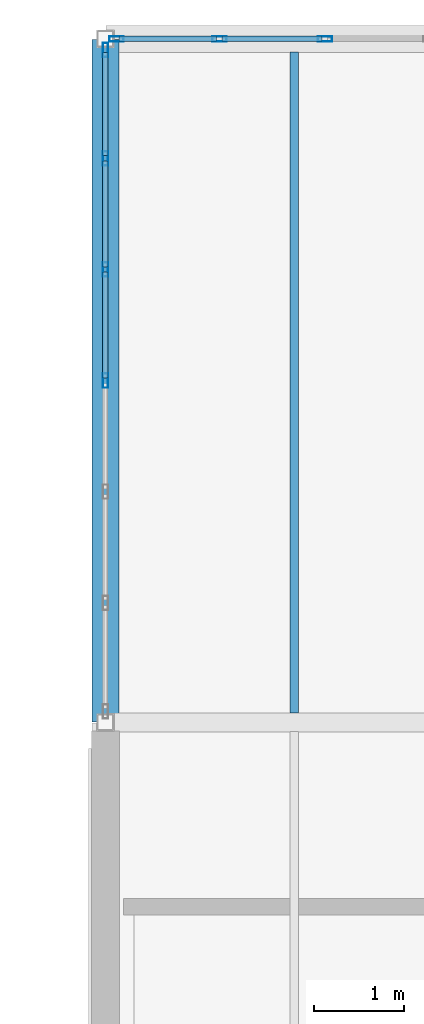
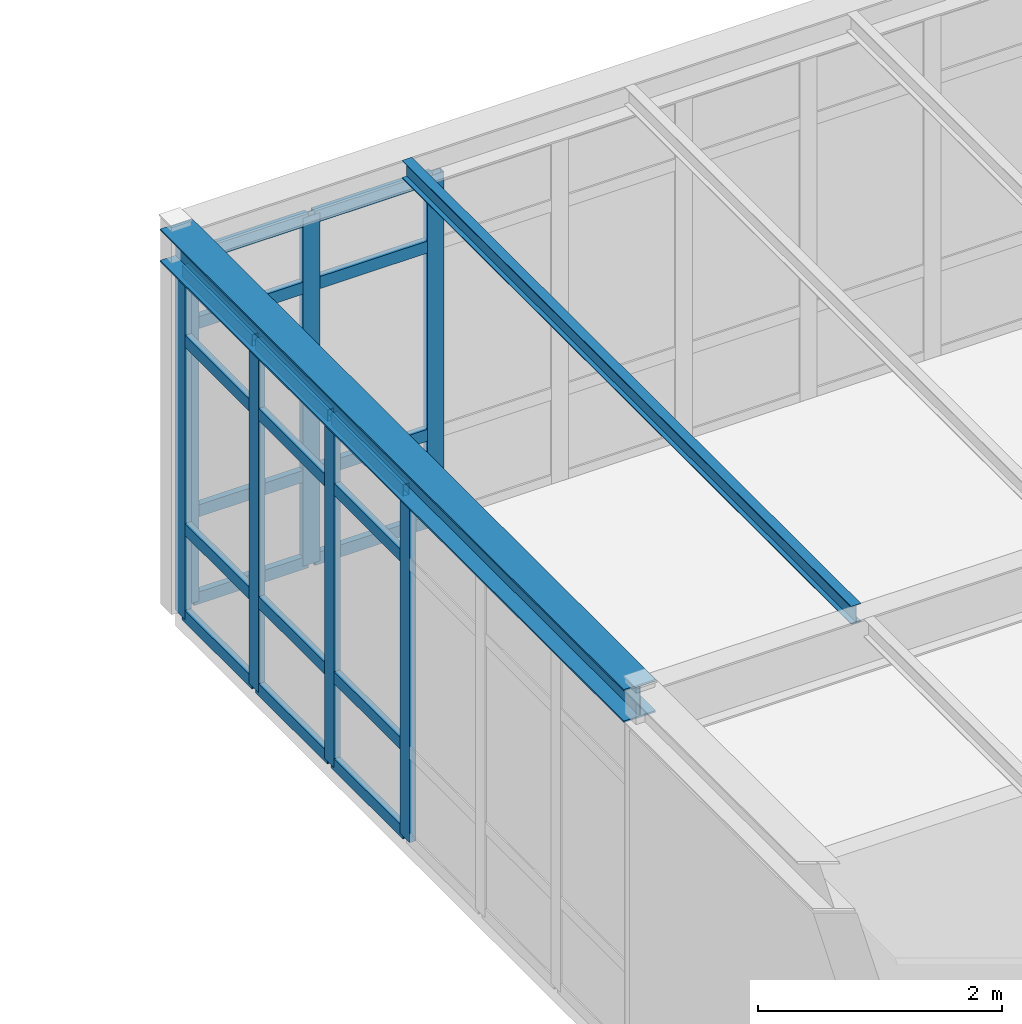
# One storey, part 16 of 65: 27 members, 2 beams, 2 elements without a shape of their own.
"""IFC4 building model written with IfcOpenShell, lengths in metres."""

import ifcopenshell
import ifcopenshell.guid

model = None  # the IFC model being written
_history = None  # IfcOwnerHistory: only IFC2X3 demands one
_inside = {}  # id of a spatial element -> (the spatial element, [elements in it])
_under = {}  # id of a project, library or spatial element -> (it, [spatial elements below it])
_declared = {}  # id of a project -> (the project, [libraries it declares])
_typed = {}  # id of a type object -> (the type object, [elements of that type])
_made_of = {}  # id of a material, layer set ... -> (it, [elements and type objects made of it])


def new_model(schema):
    """Start an empty IFC model of exactly this schema.

    Asked for "IFC4X3", IfcOpenShell would pick the latest addendum, in which some entities
    have other attributes; the version numbers below select the first issue.
    IFC2X3 requires an IfcOwnerHistory on every rooted entity: one is made here for all.
    """
    global model, _history
    if schema == "IFC4X3":
        model = ifcopenshell.file(schema_version=(4, 3, 0, 0))
    else:
        model = ifcopenshell.file(schema=schema)
    _inside.clear()
    _under.clear()
    _declared.clear()
    _typed.clear()
    _made_of.clear()
    _history = None
    if model.schema == "IFC2X3":
        org = make("IfcOrganization", Name="unknown")
        user = make(
            "IfcPersonAndOrganization",
            ThePerson=make("IfcPerson", FamilyName="unknown"),
            TheOrganization=org,
        )
        app = make(
            "IfcApplication",
            ApplicationDeveloper=org,
            Version="unknown",
            ApplicationFullName="unknown",
            ApplicationIdentifier="unknown",
        )
        _history = make(
            "IfcOwnerHistory",
            OwningUser=user,
            OwningApplication=app,
            ChangeAction="ADDED",
            CreationDate=0,
        )
    return model


def make(cls, **values):
    """One entity of the class cls with the attributes given. An attribute that is None is left unset."""
    return model.create_entity(
        cls, **{name: value for name, value in values.items() if value is not None}
    )


def rooted(cls, **values):
    """An entity with a GlobalId (a new one), such as an element, a storey or a relation."""
    return make(cls, GlobalId=ifcopenshell.guid.new(), OwnerHistory=_history, **values)


def si_unit(unit_type, name, prefix=None):
    """IfcSIUnit, for example si_unit("LENGTHUNIT", "METRE", prefix="MILLI")."""
    return make("IfcSIUnit", UnitType=unit_type, Prefix=prefix, Name=name)


def assignment(units):
    """IfcUnitAssignment: the units of a project."""
    return None if units is None else make("IfcUnitAssignment", Units=units)


def point(xyz):
    """IfcCartesianPoint."""
    return None if xyz is None else make("IfcCartesianPoint", Coordinates=xyz)


def direction(xyz):
    """IfcDirection."""
    return None if xyz is None else make("IfcDirection", DirectionRatios=xyz)


def frame(location, z_axis=None, x_axis=None):
    """IfcAxis2Placement3D, a coordinate frame: its origin and axes. An axis left out is left unset."""
    return make(
        "IfcAxis2Placement3D",
        Location=point(location),
        Axis=direction(z_axis),
        RefDirection=direction(x_axis),
    )


def frame_2d(location, x_axis=None):
    """IfcAxis2Placement2D, a coordinate frame in the plane: its origin and x axis."""
    return make(
        "IfcAxis2Placement2D", Location=point(location), RefDirection=direction(x_axis)
    )


def origin():
    """The frame at (0, 0, 0) with its axes left unset."""
    return frame((0.0, 0.0, 0.0))


def origin_2d():
    """The frame at (0, 0) in the plane with its x axis left unset."""
    return frame_2d((0.0, 0.0))


def place(relative_to, where):
    """IfcLocalPlacement: puts the frame where relative to a parent placement (None: the world)."""
    return make(
        "IfcLocalPlacement", PlacementRelTo=relative_to, RelativePlacement=where
    )


def context(
    kind, dimensions, precision=None, world=None, true_north=None, identifier=None
):
    """IfcGeometricRepresentationContext, for example the 3D "Model" context."""
    return make(
        "IfcGeometricRepresentationContext",
        ContextIdentifier=identifier,
        ContextType=kind,
        CoordinateSpaceDimension=dimensions,
        Precision=precision,
        WorldCoordinateSystem=world,
        TrueNorth=true_north,
    )


def subcontext(parent, identifier, kind, view, scale=None):
    """IfcGeometricRepresentationSubContext, for example "Body" below "Model"."""
    return make(
        "IfcGeometricRepresentationSubContext",
        ContextIdentifier=identifier,
        ContextType=kind,
        ParentContext=parent,
        TargetScale=scale,
        TargetView=view,
    )


def project(units=None, contexts=None):
    """IfcProject with its units and contexts."""
    return rooted(
        "IfcProject",
        Name="project",
        RepresentationContexts=contexts,
        UnitsInContext=assignment(units),
    )


def spatial(cls, under=None, at=None, **own):
    """A site, building, storey or space (cls), placed at a placement, below another one or the project."""
    s = rooted(cls, ObjectPlacement=at, **own)
    if under is not None:
        _under.setdefault(under.id(), (under, []))[1].append(s)
    return s


def profile(cls, at=None, kind="AREA", **sizes):
    """A parametric profile (cls). Its sizes go by their IFC names, for example OverallWidth=200.0."""
    return make(cls, ProfileType=kind, Position=at, **sizes)


def hollow_rectangle(**sizes):
    """IfcRectangleHollowProfileDef."""
    return profile("IfcRectangleHollowProfileDef", **sizes)


def i_section(**sizes):
    """IfcIShapeProfileDef."""
    return profile("IfcIShapeProfileDef", **sizes)


def extrude(swept, where, along, depth):
    """IfcExtrudedAreaSolid: the profile swept, set in the frame where, extruded along a direction by depth."""
    return make(
        "IfcExtrudedAreaSolid",
        SweptArea=swept,
        Position=where,
        ExtrudedDirection=direction(along),
        Depth=depth,
    )


def shape(context_of_items, identifier, shape_type, items):
    """IfcShapeRepresentation: the items that make up one representation, for example the "Body"."""
    return make(
        "IfcShapeRepresentation",
        ContextOfItems=context_of_items,
        RepresentationIdentifier=identifier,
        RepresentationType=shape_type,
        Items=items,
    )


def material(Name=None, Category=None):
    """IfcMaterial."""
    return make("IfcMaterial", Name=Name, Category=Category)


def layer(
    of_material, thickness, ventilated=None, Name=None, Category=None, Priority=None
):
    """IfcMaterialLayer: one layer of a wall or slab, of a material (None: an air gap)."""
    return make(
        "IfcMaterialLayer",
        Material=of_material,
        LayerThickness=thickness,
        IsVentilated=ventilated,
        Name=Name,
        Category=Category,
        Priority=Priority,
    )


def layer_set(layers, Name=None):
    """IfcMaterialLayerSet."""
    return make("IfcMaterialLayerSet", MaterialLayers=layers, LayerSetName=Name)


def material_profile(
    of_material, cross_section, Name=None, Category=None, Priority=None
):
    """IfcMaterialProfile: a cross section and its material."""
    return make(
        "IfcMaterialProfile",
        Name=Name,
        Material=of_material,
        Profile=cross_section,
        Priority=Priority,
        Category=Category,
    )


def profile_set(profiles, Name=None, composite=None):
    """IfcMaterialProfileSet."""
    return make(
        "IfcMaterialProfileSet",
        Name=Name,
        MaterialProfiles=profiles,
        CompositeProfile=composite,
    )


def made_of(thing, what):
    """Note that an element or type object is made of a material, layer set ...; save() writes the relation."""
    if what is not None:
        _made_of.setdefault(what.id(), (what, []))[1].append(thing)
    return thing


def type_object(cls, material=None, **own):
    """A type object (cls), such as IfcWallType, which elements share."""
    return made_of(rooted(cls, **own), material)


def element(
    cls,
    number,
    at=None,
    inside=None,
    cuts=None,
    type_object=None,
    material=None,
    context=None,
    identifier="Body",
    shape_type=None,
    held_by="IfcProductDefinitionShape",
    body=None,
    shapes=None,
    **own,
):
    """One element of the class cls, such as IfcWall. Its Tag is "e" and its number.

    at: its placement. inside: the storey or other place that contains it. cuts: it is an
    opening in that element (IfcRelVoidsElement). A single representation is given by context,
    identifier, shape_type and body (its items); several are given by shapes. held_by: the class
    of the entity that holds the representations. save() writes the other relations.
    """
    e = rooted(cls, Tag="e%d" % number, ObjectPlacement=at, **own)
    if body is not None:
        shapes = [shape(context, identifier, shape_type, body)]
    if shapes is not None:
        e.Representation = make(held_by, Representations=shapes)
    if inside is not None:
        _inside.setdefault(inside.id(), (inside, []))[1].append(e)
    if cuts is not None:
        rooted(
            "IfcRelVoidsElement", RelatingBuildingElement=cuts, RelatedOpeningElement=e
        )
    if type_object is not None:
        _typed.setdefault(type_object.id(), (type_object, []))[1].append(e)
    return made_of(e, material)


def aggregate(whole, parts):
    """IfcRelAggregates: a whole, such as a stair, and the parts it consists of."""
    return rooted("IfcRelAggregates", RelatingObject=whole, RelatedObjects=parts)


def save(model, path):
    """Write the relations noted so far, then the file.

    IfcRelAggregates (storeys below a building ...), IfcRelContainedInSpatialStructure (elements
    in a storey), IfcRelDefinesByType, IfcRelAssociatesMaterial and IfcRelDeclares: one each for
    every whole, place, type object, material and project.
    """
    for whole, parts in _under.values():
        aggregate(whole, parts)
    for where, things in _inside.values():
        rooted(
            "IfcRelContainedInSpatialStructure",
            RelatedElements=things,
            RelatingStructure=where,
        )
    for kind, things in _typed.values():
        rooted("IfcRelDefinesByType", RelatedObjects=things, RelatingType=kind)
    for what, things in _made_of.values():
        rooted("IfcRelAssociatesMaterial", RelatedObjects=things, RelatingMaterial=what)
    for by, libraries in _declared.values():
        rooted("IfcRelDeclares", RelatingContext=by, RelatedDefinitions=libraries)
    model.write(path)


model = new_model("IFC4")

# Units and contexts
model_context = context("Model", 3, precision=1e-05, world=origin(), true_north=direction((0.0, 1.0)))
body_context = subcontext(model_context, "Body", "Model", "MODEL_VIEW")
ifc_project = project(units=[si_unit("LENGTHUNIT", "METRE"), si_unit("AREAUNIT", "SQUARE_METRE"), si_unit("VOLUMEUNIT", "CUBIC_METRE"), si_unit("PLANEANGLEUNIT", "RADIAN"), si_unit("MASSUNIT", "GRAM", prefix="KILO")], contexts=[model_context])

# Site, building, storey
site_placement = place(None, origin())
site = spatial("IfcSite", under=ifc_project, at=site_placement, CompositionType="ELEMENT")
building_placement = place(site_placement, origin())
building = spatial("IfcBuilding", under=site, at=building_placement, Name="Montecoro Central Library", CompositionType="ELEMENT")
storey_placement = place(building_placement, frame((0.0, 0.0, 17.340087890625)))
storey = spatial("IfcBuildingStorey", under=building, at=storey_placement, Name="L04", CompositionType="ELEMENT", Elevation=17.340087890625)

# Beams
ifc_material_1 = material(Name="Steel S355", Category="steel")
ifc_material_profile_1 = material_profile(ifc_material_1, i_section(OverallWidth=0.091064453125, OverallDepth=0.179931640625, WebThickness=0.00537109375, FlangeThickness=0.008056640625, at=origin_2d()), Name="IPE 180")
ifc_profile_set_1 = profile_set([ifc_material_profile_1], Name="Steel S355")
beam_type_1 = type_object("IfcBeamType", Name="BM-J-IPE180", PredefinedType="JOIST", material=ifc_profile_set_1)
beam_1_placement = place(storey_placement, frame((68.5, 111.501953125, 3.73486328125), z_axis=(0.0, 1.0, 0.0), x_axis=(-1.0, 0.0, 0.0)))
element("IfcBeam", 1, at=beam_1_placement, inside=storey, type_object=beam_type_1, Name="V2-L04-JS-910-QR-1", PredefinedType="JOIST", context=body_context, shape_type="SweptSolid", body=[
    extrude(i_section(OverallWidth=0.091064453125, OverallDepth=0.179931640625, WebThickness=0.00537109375, FlangeThickness=0.008056640625, at=origin_2d()), origin(), (0.0, 0.0, 1.0), 7.35107421875),
])
ifc_material_profile_2 = material_profile(ifc_material_1, i_section(OverallWidth=0.300048828125, OverallDepth=0.330078125, WebThickness=0.009521484375, FlangeThickness=0.0166015625, at=origin_2d()), Name="HEA 340")
ifc_profile_set_2 = profile_set([ifc_material_profile_2], Name="Steel S355")
beam_type_2 = type_object("IfcBeamType", Name="BM-SP-HEA340", PredefinedType="SPANDREL", material=ifc_profile_set_2)
beam_2_placement = place(storey_placement, frame((66.39990234375, 111.405029296875, 3.659912109375), z_axis=(0.0, 1.0, 0.0), x_axis=(-1.0, 0.0, 0.0)))
element("IfcBeam", 2, at=beam_2_placement, inside=storey, type_object=beam_type_2, Name="V2-L04-BY-9-QR", PredefinedType="SPANDREL", context=body_context, shape_type="SweptSolid", body=[
    extrude(i_section(OverallWidth=0.300048828125, OverallDepth=0.330078125, WebThickness=0.009521484375, FlangeThickness=0.0166015625, at=origin_2d()), origin(), (0.0, 0.0, 1.0), 7.590087890625),
])

# Curtain wall, members
ifc_material_2 = material(Name="Bronze-anodised aluminium and low-E glazing", Category="aluminium")
ifc_layer_1 = layer(ifc_material_2, 0.159912109375)
ifc_layer_set_1 = layer_set([ifc_layer_1], Name="Bronze-anodised aluminium and low-E glazing")
curtain_wall_type_1 = type_object("IfcCurtainWallType", Name="CWT-022", PredefinedType="NOTDEFINED", material=ifc_layer_set_1)
curtain_wall_1_placement = place(storey_placement, origin())
curtain_wall_1 = element("IfcCurtainWall", 3, at=curtain_wall_1_placement, inside=storey, type_object=curtain_wall_type_1, Name="V2-L04-CW-N0", PredefinedType="NOTDEFINED")
ifc_material_3 = material(Name="Bronze-anodised aluminium", Category="aluminium")
ifc_material_profile_3 = material_profile(ifc_material_3, hollow_rectangle(XDim=0.06005859375, YDim=0.159912109375, WallThickness=0.00390625, at=origin_2d()), Name="CWM 160x60x4.0")
ifc_profile_set_3 = profile_set([ifc_material_profile_3], Name="Bronze-anodised aluminium")
member_type_1 = type_object("IfcMemberType", Name="CWM-BRZ-60", PredefinedType="MULLION", material=ifc_profile_set_3)
member_1_placement = place(storey_placement, frame((68.83984375, 119.0, 0.0), z_axis=(0.0, 0.0, 1.0), x_axis=(0.0, -1.0, 0.0)))
member_1 = element("IfcMember", 4, at=member_1_placement, type_object=member_type_1, Name="CW-022 mullion 6", PredefinedType="MULLION", context=body_context, shape_type="SweptSolid", body=[
    extrude(hollow_rectangle(XDim=0.06005859375, YDim=0.159912109375, WallThickness=0.00390625, at=origin_2d()), origin(), (0.0, 0.0, 1.0), 3.47998046875),
])
member_2_placement = place(storey_placement, frame((67.66650390625, 119.0, 0.0), z_axis=(0.0, 0.0, 1.0), x_axis=(0.0, -1.0, 0.0)))
member_2 = element("IfcMember", 5, at=member_2_placement, type_object=member_type_1, Name="CW-022 mullion 7", PredefinedType="MULLION", context=body_context, shape_type="SweptSolid", body=[
    extrude(hollow_rectangle(XDim=0.06005859375, YDim=0.159912109375, WallThickness=0.00390625, at=origin_2d()), origin(), (0.0, 0.0, 1.0), 3.47998046875),
])
member_3_placement = place(storey_placement, frame((66.52294921875, 119.0, 0.0), z_axis=(0.0, 0.0, 1.0), x_axis=(0.0, -1.0, 0.0)))
member_3 = element("IfcMember", 6, at=member_3_placement, type_object=member_type_1, Name="CW-022 mullion 8", PredefinedType="MULLION", context=body_context, shape_type="SweptSolid", body=[
    extrude(hollow_rectangle(XDim=0.06005859375, YDim=0.159912109375, WallThickness=0.00390625, at=origin_2d()), origin(), (0.0, 0.0, 1.0), 3.47998046875),
])

ifc_layer_2 = layer(ifc_material_2, 0.159912109375)
ifc_layer_set_2 = layer_set([ifc_layer_2], Name="Bronze-anodised aluminium and low-E glazing")
curtain_wall_type_2 = type_object("IfcCurtainWallType", Name="CWT-023", PredefinedType="NOTDEFINED", material=ifc_layer_set_2)
curtain_wall_2_placement = place(storey_placement, origin())
curtain_wall_2 = element("IfcCurtainWall", 7, at=curtain_wall_2_placement, inside=storey, type_object=curtain_wall_type_2, Name="V2-L04-CW-W2", PredefinedType="NOTDEFINED")
member_4_placement = place(storey_placement, frame((66.39990234375, 118.876953125, 0.0), z_axis=(0.0, 0.0, 1.0), x_axis=(1.0, 0.0, 0.0)))
member_4 = element("IfcMember", 8, at=member_4_placement, type_object=member_type_1, Name="CW-023 mullion 1", PredefinedType="MULLION", context=body_context, shape_type="SweptSolid", body=[
    extrude(hollow_rectangle(XDim=0.06005859375, YDim=0.159912109375, WallThickness=0.00390625, at=origin_2d()), origin(), (0.0, 0.0, 1.0), 3.47998046875),
])
member_5_placement = place(storey_placement, frame((66.39990234375, 117.67138671875, 0.0), z_axis=(0.0, 0.0, 1.0), x_axis=(1.0, 0.0, 0.0)))
member_5 = element("IfcMember", 9, at=member_5_placement, type_object=member_type_1, Name="CW-023 mullion 2", PredefinedType="MULLION", context=body_context, shape_type="SweptSolid", body=[
    extrude(hollow_rectangle(XDim=0.06005859375, YDim=0.159912109375, WallThickness=0.00390625, at=origin_2d()), origin(), (0.0, 0.0, 1.0), 3.47998046875),
])
member_6_placement = place(storey_placement, frame((66.39990234375, 116.435546875, 0.0), z_axis=(0.0, 0.0, 1.0), x_axis=(1.0, 0.0, 0.0)))
member_6 = element("IfcMember", 10, at=member_6_placement, type_object=member_type_1, Name="CW-023 mullion 3", PredefinedType="MULLION", context=body_context, shape_type="SweptSolid", body=[
    extrude(hollow_rectangle(XDim=0.06005859375, YDim=0.159912109375, WallThickness=0.00390625, at=origin_2d()), origin(), (0.0, 0.0, 1.0), 3.47998046875),
])
member_7_placement = place(storey_placement, frame((66.39990234375, 115.199951171875, 0.0), z_axis=(0.0, 0.0, 1.0), x_axis=(1.0, 0.0, 0.0)))
member_7 = element("IfcMember", 11, at=member_7_placement, type_object=member_type_1, Name="CW-023 mullion 4", PredefinedType="MULLION", context=body_context, shape_type="SweptSolid", body=[
    extrude(hollow_rectangle(XDim=0.06005859375, YDim=0.159912109375, WallThickness=0.00390625, at=origin_2d()), origin(), (0.0, 0.0, 1.0), 3.47998046875),
])

# Member
ifc_material_profile_4 = material_profile(ifc_material_3, hollow_rectangle(XDim=0.06005859375, YDim=0.1201171875, WallThickness=0.00390625, at=origin_2d()), Name="CWT 120x60x4.0")
ifc_profile_set_4 = profile_set([ifc_material_profile_4], Name="Bronze-anodised aluminium")
member_type_2 = type_object("IfcMemberType", Name="CWT-BRZ-60", PredefinedType="USERDEFINED", material=ifc_profile_set_4)
member_8_placement = place(storey_placement, frame((68.809814453125, 119.0, 0.030029296875), z_axis=(-1.0, 0.0, 0.0), x_axis=(0.0, -1.0, 0.0)))
member_8 = element("IfcMember", 12, at=member_8_placement, type_object=member_type_2, Name="CW-022 transom 6.1", ObjectType="TRANSOM", PredefinedType="USERDEFINED", context=body_context, shape_type="SweptSolid", body=[
    extrude(hollow_rectangle(XDim=0.06005859375, YDim=0.1201171875, WallThickness=0.00390625, at=origin_2d()), origin(), (0.0, 0.0, 1.0), 1.11328125),
])

member_9_placement = place(storey_placement, frame((68.809814453125, 119.0, 0.89990234375), z_axis=(-1.0, 0.0, 0.0), x_axis=(0.0, -1.0, 0.0)))
member_9 = element("IfcMember", 13, at=member_9_placement, type_object=member_type_2, Name="CW-022 transom 6.2", ObjectType="TRANSOM", PredefinedType="USERDEFINED", context=body_context, shape_type="SweptSolid", body=[
    extrude(hollow_rectangle(XDim=0.06005859375, YDim=0.1201171875, WallThickness=0.00390625, at=origin_2d()), origin(), (0.0, 0.0, 1.0), 1.11328125),
])

member_10_placement = place(storey_placement, frame((68.809814453125, 119.0, 2.780029296875), z_axis=(-1.0, 0.0, 0.0), x_axis=(0.0, -1.0, 0.0)))
member_10 = element("IfcMember", 14, at=member_10_placement, type_object=member_type_2, Name="CW-022 transom 6.3", ObjectType="TRANSOM", PredefinedType="USERDEFINED", context=body_context, shape_type="SweptSolid", body=[
    extrude(hollow_rectangle(XDim=0.06005859375, YDim=0.1201171875, WallThickness=0.00390625, at=origin_2d()), origin(), (0.0, 0.0, 1.0), 1.11328125),
])

member_11_placement = place(storey_placement, frame((68.809814453125, 119.0, 3.449951171875), z_axis=(-1.0, 0.0, 0.0), x_axis=(0.0, -1.0, 0.0)))
member_11 = element("IfcMember", 15, at=member_11_placement, type_object=member_type_2, Name="CW-022 transom 6.4", ObjectType="TRANSOM", PredefinedType="USERDEFINED", context=body_context, shape_type="SweptSolid", body=[
    extrude(hollow_rectangle(XDim=0.06005859375, YDim=0.1201171875, WallThickness=0.00390625, at=origin_2d()), origin(), (0.0, 0.0, 1.0), 1.11328125),
])

member_12_placement = place(storey_placement, frame((67.636474609375, 119.0, 0.030029296875), z_axis=(-1.0, 0.0, 0.0), x_axis=(0.0, -1.0, 0.0)))
member_12 = element("IfcMember", 16, at=member_12_placement, type_object=member_type_2, Name="CW-022 transom 7.1", ObjectType="TRANSOM", PredefinedType="USERDEFINED", context=body_context, shape_type="SweptSolid", body=[
    extrude(hollow_rectangle(XDim=0.06005859375, YDim=0.1201171875, WallThickness=0.00390625, at=origin_2d()), origin(), (0.0, 0.0, 1.0), 1.08349609375),
])

member_13_placement = place(storey_placement, frame((67.636474609375, 119.0, 0.89990234375), z_axis=(-1.0, 0.0, 0.0), x_axis=(0.0, -1.0, 0.0)))
member_13 = element("IfcMember", 17, at=member_13_placement, type_object=member_type_2, Name="CW-022 transom 7.2", ObjectType="TRANSOM", PredefinedType="USERDEFINED", context=body_context, shape_type="SweptSolid", body=[
    extrude(hollow_rectangle(XDim=0.06005859375, YDim=0.1201171875, WallThickness=0.00390625, at=origin_2d()), origin(), (0.0, 0.0, 1.0), 1.08349609375),
])

member_14_placement = place(storey_placement, frame((67.636474609375, 119.0, 2.780029296875), z_axis=(-1.0, 0.0, 0.0), x_axis=(0.0, -1.0, 0.0)))
member_14 = element("IfcMember", 18, at=member_14_placement, type_object=member_type_2, Name="CW-022 transom 7.3", ObjectType="TRANSOM", PredefinedType="USERDEFINED", context=body_context, shape_type="SweptSolid", body=[
    extrude(hollow_rectangle(XDim=0.06005859375, YDim=0.1201171875, WallThickness=0.00390625, at=origin_2d()), origin(), (0.0, 0.0, 1.0), 1.08349609375),
])

member_15_placement = place(storey_placement, frame((67.636474609375, 119.0, 3.449951171875), z_axis=(-1.0, 0.0, 0.0), x_axis=(0.0, -1.0, 0.0)))
member_15 = element("IfcMember", 19, at=member_15_placement, type_object=member_type_2, Name="CW-022 transom 7.4", ObjectType="TRANSOM", PredefinedType="USERDEFINED", context=body_context, shape_type="SweptSolid", body=[
    extrude(hollow_rectangle(XDim=0.06005859375, YDim=0.1201171875, WallThickness=0.00390625, at=origin_2d()), origin(), (0.0, 0.0, 1.0), 1.08349609375),
])

aggregate(curtain_wall_1, [member_1, member_2, member_3, member_8, member_9, member_10, member_11, member_12, member_13, member_14, member_15])

member_16_placement = place(storey_placement, frame((66.39990234375, 118.846923828125, 0.030029296875), z_axis=(0.0, -1.0, 0.0), x_axis=(1.0, 0.0, 0.0)))
member_16 = element("IfcMember", 20, at=member_16_placement, type_object=member_type_2, Name="CW-023 transom 1.1", ObjectType="TRANSOM", PredefinedType="USERDEFINED", context=body_context, shape_type="SweptSolid", body=[
    extrude(hollow_rectangle(XDim=0.06005859375, YDim=0.1201171875, WallThickness=0.00390625, at=origin_2d()), origin(), (0.0, 0.0, 1.0), 1.1455078125),
])

member_17_placement = place(storey_placement, frame((66.39990234375, 118.846923828125, 0.89990234375), z_axis=(0.0, -1.0, 0.0), x_axis=(1.0, 0.0, 0.0)))
member_17 = element("IfcMember", 21, at=member_17_placement, type_object=member_type_2, Name="CW-023 transom 1.2", ObjectType="TRANSOM", PredefinedType="USERDEFINED", context=body_context, shape_type="SweptSolid", body=[
    extrude(hollow_rectangle(XDim=0.06005859375, YDim=0.1201171875, WallThickness=0.00390625, at=origin_2d()), origin(), (0.0, 0.0, 1.0), 1.1455078125),
])

member_18_placement = place(storey_placement, frame((66.39990234375, 118.846923828125, 2.780029296875), z_axis=(0.0, -1.0, 0.0), x_axis=(1.0, 0.0, 0.0)))
member_18 = element("IfcMember", 22, at=member_18_placement, type_object=member_type_2, Name="CW-023 transom 1.3", ObjectType="TRANSOM", PredefinedType="USERDEFINED", context=body_context, shape_type="SweptSolid", body=[
    extrude(hollow_rectangle(XDim=0.06005859375, YDim=0.1201171875, WallThickness=0.00390625, at=origin_2d()), origin(), (0.0, 0.0, 1.0), 1.1455078125),
])

member_19_placement = place(storey_placement, frame((66.39990234375, 118.846923828125, 3.449951171875), z_axis=(0.0, -1.0, 0.0), x_axis=(1.0, 0.0, 0.0)))
member_19 = element("IfcMember", 23, at=member_19_placement, type_object=member_type_2, Name="CW-023 transom 1.4", ObjectType="TRANSOM", PredefinedType="USERDEFINED", context=body_context, shape_type="SweptSolid", body=[
    extrude(hollow_rectangle(XDim=0.06005859375, YDim=0.1201171875, WallThickness=0.00390625, at=origin_2d()), origin(), (0.0, 0.0, 1.0), 1.1455078125),
])

member_20_placement = place(storey_placement, frame((66.39990234375, 117.641357421875, 0.030029296875), z_axis=(0.0, -1.0, 0.0), x_axis=(1.0, 0.0, 0.0)))
member_20 = element("IfcMember", 24, at=member_20_placement, type_object=member_type_2, Name="CW-023 transom 2.1", ObjectType="TRANSOM", PredefinedType="USERDEFINED", context=body_context, shape_type="SweptSolid", body=[
    extrude(hollow_rectangle(XDim=0.06005859375, YDim=0.1201171875, WallThickness=0.00390625, at=origin_2d()), origin(), (0.0, 0.0, 1.0), 1.17578125),
])

member_21_placement = place(storey_placement, frame((66.39990234375, 117.641357421875, 0.89990234375), z_axis=(0.0, -1.0, 0.0), x_axis=(1.0, 0.0, 0.0)))
member_21 = element("IfcMember", 25, at=member_21_placement, type_object=member_type_2, Name="CW-023 transom 2.2", ObjectType="TRANSOM", PredefinedType="USERDEFINED", context=body_context, shape_type="SweptSolid", body=[
    extrude(hollow_rectangle(XDim=0.06005859375, YDim=0.1201171875, WallThickness=0.00390625, at=origin_2d()), origin(), (0.0, 0.0, 1.0), 1.17578125),
])

member_22_placement = place(storey_placement, frame((66.39990234375, 117.641357421875, 2.780029296875), z_axis=(0.0, -1.0, 0.0), x_axis=(1.0, 0.0, 0.0)))
member_22 = element("IfcMember", 26, at=member_22_placement, type_object=member_type_2, Name="CW-023 transom 2.3", ObjectType="TRANSOM", PredefinedType="USERDEFINED", context=body_context, shape_type="SweptSolid", body=[
    extrude(hollow_rectangle(XDim=0.06005859375, YDim=0.1201171875, WallThickness=0.00390625, at=origin_2d()), origin(), (0.0, 0.0, 1.0), 1.17578125),
])

member_23_placement = place(storey_placement, frame((66.39990234375, 117.641357421875, 3.449951171875), z_axis=(0.0, -1.0, 0.0), x_axis=(1.0, 0.0, 0.0)))
member_23 = element("IfcMember", 27, at=member_23_placement, type_object=member_type_2, Name="CW-023 transom 2.4", ObjectType="TRANSOM", PredefinedType="USERDEFINED", context=body_context, shape_type="SweptSolid", body=[
    extrude(hollow_rectangle(XDim=0.06005859375, YDim=0.1201171875, WallThickness=0.00390625, at=origin_2d()), origin(), (0.0, 0.0, 1.0), 1.17578125),
])

member_24_placement = place(storey_placement, frame((66.39990234375, 116.40576171875, 0.030029296875), z_axis=(0.0, -1.0, 0.0), x_axis=(1.0, 0.0, 0.0)))
member_24 = element("IfcMember", 28, at=member_24_placement, type_object=member_type_2, Name="CW-023 transom 3.1", ObjectType="TRANSOM", PredefinedType="USERDEFINED", context=body_context, shape_type="SweptSolid", body=[
    extrude(hollow_rectangle(XDim=0.06005859375, YDim=0.1201171875, WallThickness=0.00390625, at=origin_2d()), origin(), (0.0, 0.0, 1.0), 1.17578125),
])

member_25_placement = place(storey_placement, frame((66.39990234375, 116.40576171875, 0.89990234375), z_axis=(0.0, -1.0, 0.0), x_axis=(1.0, 0.0, 0.0)))
member_25 = element("IfcMember", 29, at=member_25_placement, type_object=member_type_2, Name="CW-023 transom 3.2", ObjectType="TRANSOM", PredefinedType="USERDEFINED", context=body_context, shape_type="SweptSolid", body=[
    extrude(hollow_rectangle(XDim=0.06005859375, YDim=0.1201171875, WallThickness=0.00390625, at=origin_2d()), origin(), (0.0, 0.0, 1.0), 1.17578125),
])

member_26_placement = place(storey_placement, frame((66.39990234375, 116.40576171875, 2.780029296875), z_axis=(0.0, -1.0, 0.0), x_axis=(1.0, 0.0, 0.0)))
member_26 = element("IfcMember", 30, at=member_26_placement, type_object=member_type_2, Name="CW-023 transom 3.3", ObjectType="TRANSOM", PredefinedType="USERDEFINED", context=body_context, shape_type="SweptSolid", body=[
    extrude(hollow_rectangle(XDim=0.06005859375, YDim=0.1201171875, WallThickness=0.00390625, at=origin_2d()), origin(), (0.0, 0.0, 1.0), 1.17578125),
])

member_27_placement = place(storey_placement, frame((66.39990234375, 116.40576171875, 3.449951171875), z_axis=(0.0, -1.0, 0.0), x_axis=(1.0, 0.0, 0.0)))
member_27 = element("IfcMember", 31, at=member_27_placement, type_object=member_type_2, Name="CW-023 transom 3.4", ObjectType="TRANSOM", PredefinedType="USERDEFINED", context=body_context, shape_type="SweptSolid", body=[
    extrude(hollow_rectangle(XDim=0.06005859375, YDim=0.1201171875, WallThickness=0.00390625, at=origin_2d()), origin(), (0.0, 0.0, 1.0), 1.17578125),
])

aggregate(curtain_wall_2, [member_4, member_5, member_6, member_7, member_16, member_17, member_18, member_19, member_20, member_21, member_22, member_23, member_24, member_25, member_26, member_27])

save(model, "model.ifc")
